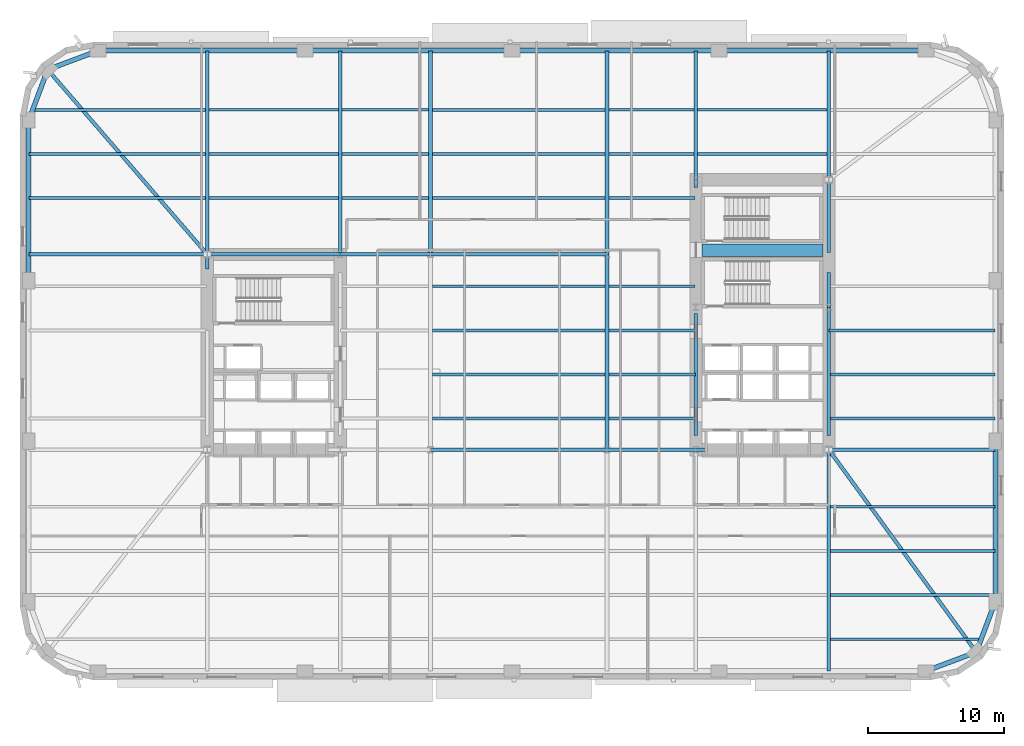
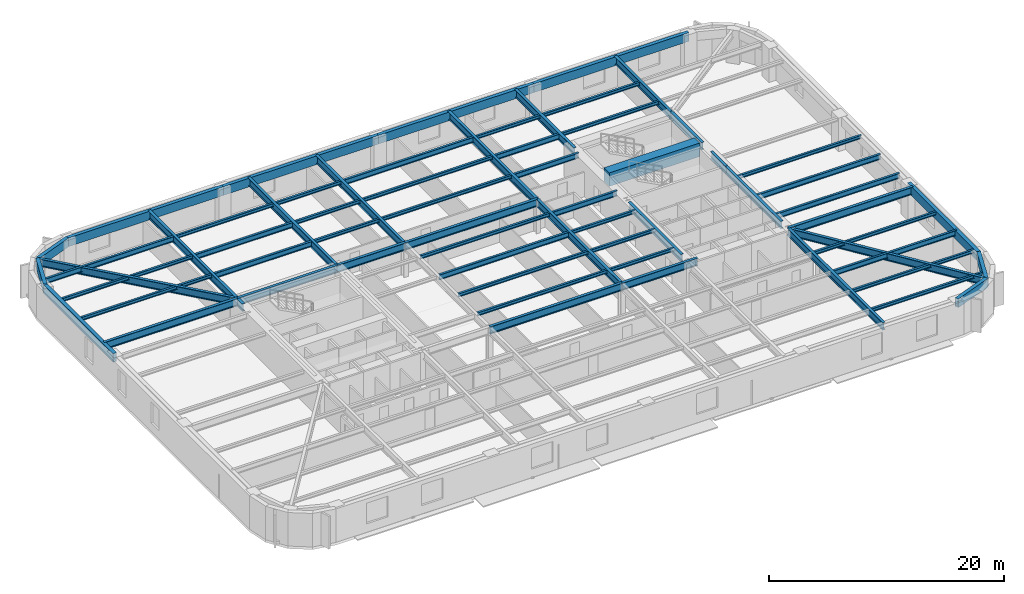
# One storey, part 2 of 15: 64 beams.
"""IFC4 building model written with IfcOpenShell, lengths in metres."""

from ifc_helpers import new_model, si_unit, direction, frame, origin, origin_2d, place, context, subcontext, project, spatial, rectangle, hollow_rectangle, i_section, extrude, material, material_profile, profile_set, type_object, element, save


model = new_model("IFC4")

# Units and contexts
model_context = context("Model", 3, precision=1e-05, world=origin(), true_north=direction((0.0, 1.0)))
body_context = subcontext(model_context, "Body", "Model", "MODEL_VIEW")
ifc_project = project(units=[si_unit("LENGTHUNIT", "METRE"), si_unit("AREAUNIT", "SQUARE_METRE"), si_unit("VOLUMEUNIT", "CUBIC_METRE"), si_unit("PLANEANGLEUNIT", "RADIAN"), si_unit("MASSUNIT", "GRAM", prefix="KILO")], contexts=[model_context])

# Site, building, storey
site_placement = place(None, origin())
site = spatial("IfcSite", under=ifc_project, at=site_placement, CompositionType="ELEMENT")
building_placement = place(site_placement, origin())
building = spatial("IfcBuilding", under=site, at=building_placement, Name="Kolvaren Arena Tower", CompositionType="ELEMENT")
storey_placement = place(building_placement, frame((0.0, 0.0, 60.75)))
storey = spatial("IfcBuildingStorey", under=building, at=storey_placement, Name="L12", CompositionType="ELEMENT", Elevation=60.75)

# Beams
ifc_material_1 = material(Name="Steel CSA G40.21 350W", Category="steel")
ifc_material_profile_1 = material_profile(ifc_material_1, i_section(OverallWidth=0.2119140625, OverallDepth=0.54296875, WebThickness=0.01318359375, FlangeThickness=0.0244140625, FilletRadius=0.013916015625, at=origin_2d()), Name="W530x150")
ifc_profile_set_1 = profile_set([ifc_material_profile_1], Name="Steel CSA G40.21 350W")
beam_type_1 = type_object("IfcBeamType", Name="BEAM-F1", PredefinedType="BEAM", material=ifc_profile_set_1)
beam_1_placement = place(storey_placement, frame((60.485107421875, 12.0, 3.20849609375), z_axis=(1.0, 0.0, 0.0), x_axis=(0.0, 1.0, 0.0)))
element("IfcBeam", 1, at=beam_1_placement, inside=storey, type_object=beam_type_1, Name="Composite Floor Beam (L12)", PredefinedType="BEAM", context=body_context, shape_type="SweptSolid", body=[
    extrude(i_section(OverallWidth=0.2119140625, OverallDepth=0.54296875, WebThickness=0.01318359375, FlangeThickness=0.0244140625, FilletRadius=0.013916015625, at=origin_2d()), origin(), (0.0, 0.0, 1.0), 12.114990234375),
])
for number, where, z_axis, x_axis, name in (
    (2, (60.3701171875, 21.75, 3.20849609375), (1.0, 0.0, 0.0), (0.0, 1.0, 0.0), "Composite Floor Beam (L12)"),
    (3, (60.3701171875, 25.0, 3.20849609375), (1.0, 0.0, 0.0), (0.0, 1.0, 0.0), "Composite Floor Beam (L12)"),
):
    element("IfcBeam", number, at=place(storey_placement, frame(where, z_axis=z_axis, x_axis=x_axis)), inside=storey, type_object=beam_type_1, Name=name, PredefinedType="BEAM", context=body_context, shape_type="SweptSolid", body=[
        extrude(i_section(OverallWidth=0.2119140625, OverallDepth=0.54296875, WebThickness=0.01318359375, FlangeThickness=0.0244140625, FilletRadius=0.013916015625, at=origin_2d()), origin(), (0.0, 0.0, 1.0), 12.22998046875),
    ])
beam_2_placement = place(storey_placement, frame((31.135009765625, 28.25, 3.20849609375), z_axis=(1.0, 0.0, 0.0), x_axis=(0.0, 1.0, 0.0)))
element("IfcBeam", 4, at=beam_2_placement, inside=storey, type_object=beam_type_1, Name="Composite Floor Beam (L12)", PredefinedType="BEAM", context=body_context, shape_type="SweptSolid", body=[
    extrude(i_section(OverallWidth=0.2119140625, OverallDepth=0.54296875, WebThickness=0.01318359375, FlangeThickness=0.0244140625, FilletRadius=0.013916015625, at=origin_2d()), origin(), (0.0, 0.0, 1.0), 12.72998046875),
])
beam_3_placement = place(storey_placement, frame((44.135009765625, 31.5, 3.20849609375), z_axis=(1.0, 0.0, 0.0), x_axis=(0.0, 1.0, 0.0)))
element("IfcBeam", 5, at=beam_3_placement, inside=storey, type_object=beam_type_1, Name="Composite Floor Beam (L12)", PredefinedType="BEAM", context=body_context, shape_type="SweptSolid", body=[
    extrude(i_section(OverallWidth=0.2119140625, OverallDepth=0.54296875, WebThickness=0.01318359375, FlangeThickness=0.0244140625, FilletRadius=0.013916015625, at=origin_2d()), origin(), (0.0, 0.0, 1.0), 6.344970703125),
])
beam_4_placement = place(storey_placement, frame((14.68505859375, 38.0, 3.20849609375), z_axis=(1.0, 0.0, 0.0), x_axis=(0.0, 1.0, 0.0)))
element("IfcBeam", 6, at=beam_4_placement, inside=storey, type_object=beam_type_1, Name="Composite Floor Beam (L12)", PredefinedType="BEAM", context=body_context, shape_type="SweptSolid", body=[
    extrude(i_section(OverallWidth=0.2119140625, OverallDepth=0.54296875, WebThickness=0.01318359375, FlangeThickness=0.0244140625, FilletRadius=0.013916015625, at=origin_2d()), origin(), (0.0, 0.0, 1.0), 9.530029296875),
])
beam_5_placement = place(storey_placement, frame((44.135009765625, 38.0, 3.20849609375), z_axis=(1.0, 0.0, 0.0), x_axis=(0.0, 1.0, 0.0)))
element("IfcBeam", 7, at=beam_5_placement, inside=storey, type_object=beam_type_1, Name="Composite Floor Beam (L12)", PredefinedType="BEAM", context=body_context, shape_type="SweptSolid", body=[
    extrude(i_section(OverallWidth=0.2119140625, OverallDepth=0.54296875, WebThickness=0.01318359375, FlangeThickness=0.0244140625, FilletRadius=0.013916015625, at=origin_2d()), origin(), (0.0, 0.0, 1.0), 6.344970703125),
])
beam_6_placement = place(storey_placement, frame((14.68505859375, 41.25, 3.20849609375), z_axis=(1.0, 0.0, 0.0), x_axis=(0.0, 1.0, 0.0)))
element("IfcBeam", 8, at=beam_6_placement, inside=storey, type_object=beam_type_1, Name="Composite Floor Beam (L12)", PredefinedType="BEAM", context=body_context, shape_type="SweptSolid", body=[
    extrude(i_section(OverallWidth=0.2119140625, OverallDepth=0.54296875, WebThickness=0.01318359375, FlangeThickness=0.0244140625, FilletRadius=0.013916015625, at=origin_2d()), origin(), (0.0, 0.0, 1.0), 9.530029296875),
])
beam_7_placement = place(storey_placement, frame((44.135009765625, 41.25, 3.20849609375), z_axis=(1.0, 0.0, 0.0), x_axis=(0.0, 1.0, 0.0)))
element("IfcBeam", 9, at=beam_7_placement, inside=storey, type_object=beam_type_1, Name="Composite Floor Beam (L12)", PredefinedType="BEAM", context=body_context, shape_type="SweptSolid", body=[
    extrude(i_section(OverallWidth=0.2119140625, OverallDepth=0.54296875, WebThickness=0.01318359375, FlangeThickness=0.0244140625, FilletRadius=0.013916015625, at=origin_2d()), origin(), (0.0, 0.0, 1.0), 6.280029296875),
])
beam_8_placement = place(storey_placement, frame((1.681396484375, 44.5, 3.20849609375), z_axis=(1.0, 0.0, 0.0), x_axis=(0.0, 1.0, 0.0)))
element("IfcBeam", 10, at=beam_8_placement, inside=storey, type_object=beam_type_1, Name="Composite Floor Beam (L12)", PredefinedType="BEAM", context=body_context, shape_type="SweptSolid", body=[
    extrude(i_section(OverallWidth=0.2119140625, OverallDepth=0.54296875, WebThickness=0.01318359375, FlangeThickness=0.0244140625, FilletRadius=0.013916015625, at=origin_2d()), origin(), (0.0, 0.0, 1.0), 12.733642578125),
])
beam_9_placement = place(storey_placement, frame((31.135009765625, 44.5, 3.20849609375), z_axis=(1.0, 0.0, 0.0), x_axis=(0.0, 1.0, 0.0)))
element("IfcBeam", 11, at=beam_9_placement, inside=storey, type_object=beam_type_1, Name="Composite Floor Beam (L12)", PredefinedType="BEAM", context=body_context, shape_type="SweptSolid", body=[
    extrude(i_section(OverallWidth=0.2119140625, OverallDepth=0.54296875, WebThickness=0.01318359375, FlangeThickness=0.0244140625, FilletRadius=0.013916015625, at=origin_2d()), origin(), (0.0, 0.0, 1.0), 12.72998046875),
])
ifc_material_2 = material(Name="Concrete 75 MPa", Category="concrete")
ifc_material_profile_2 = material_profile(ifc_material_2, rectangle(XDim=0.89990234375, YDim=1.39990234375, at=origin_2d()), Name="RC-900x1400")
ifc_profile_set_2 = profile_set([ifc_material_profile_2], Name="Concrete 75 MPa")
beam_type_2 = type_object("IfcBeamType", Name="CB-CORE-1", PredefinedType="BEAM", material=ifc_profile_set_2)
beam_10_placement = place(storey_placement, frame((51.0, 34.14990234375, 3.050048828125), z_axis=(1.0, 0.0, 0.0), x_axis=(0.0, 1.0, 0.0)))
element("IfcBeam", 12, at=beam_10_placement, inside=storey, type_object=beam_type_2, Name="East Core Coupling Beam (L12)", PredefinedType="BEAM", context=body_context, shape_type="SweptSolid", body=[
    extrude(rectangle(XDim=0.89990234375, YDim=1.39990234375, at=origin_2d()), origin(), (0.0, 0.0, 1.0), 8.89990234375),
])
ifc_material_profile_3 = material_profile(ifc_material_1, i_section(OverallWidth=0.27001953125, OverallDepth=0.77294921875, WebThickness=0.019287109375, FlangeThickness=0.033447265625, FilletRadius=0.01806640625, at=origin_2d()), Name="W760x257")
ifc_profile_set_3 = profile_set([ifc_material_profile_3], Name="Steel CSA G40.21 350W")
beam_type_3 = type_object("IfcBeamType", Name="GIRD-T1", PredefinedType="BEAM", material=ifc_profile_set_3)
beam_11_placement = place(storey_placement, frame((71.208740234375, 4.541259765625, 3.093505859375), z_axis=(-0.588737448901, 0.80832432616, 0.0), x_axis=(-0.80832432616, -0.588737448901, 0.0)))
element("IfcBeam", 13, at=beam_11_placement, inside=storey, type_object=beam_type_3, Name="Corner Diagonal Tie Girder (L12)", PredefinedType="BEAM", context=body_context, shape_type="SweptSolid", body=[
    extrude(i_section(OverallWidth=0.27001953125, OverallDepth=0.77294921875, WebThickness=0.019287109375, FlangeThickness=0.033447265625, FilletRadius=0.01806640625, at=origin_2d()), origin(), (0.0, 0.0, 1.0), 18.44384765625),
])
beam_12_placement = place(storey_placement, frame((2.791259765625, 47.458740234375, 3.093505859375), z_axis=(0.653806810332, -0.756661519283, 0.0), x_axis=(0.756661519283, 0.653806810332, 0.0)))
element("IfcBeam", 14, at=beam_12_placement, inside=storey, type_object=beam_type_3, Name="Corner Diagonal Tie Girder (L12)", PredefinedType="BEAM", context=body_context, shape_type="SweptSolid", body=[
    extrude(i_section(OverallWidth=0.27001953125, OverallDepth=0.77294921875, WebThickness=0.019287109375, FlangeThickness=0.033447265625, FilletRadius=0.01806640625, at=origin_2d()), origin(), (0.0, 0.0, 1.0), 17.985107421875),
])
beam_13_placement = place(storey_placement, frame((31.0, 19.449951171875, 3.093505859375), z_axis=(1.0, 0.0, 0.0), x_axis=(0.0, 1.0, 0.0)))
element("IfcBeam", 15, at=beam_13_placement, inside=storey, type_object=beam_type_3, Name="Primary Floor Girder (L12)", PredefinedType="BEAM", context=body_context, shape_type="SweptSolid", body=[
    extrude(i_section(OverallWidth=0.27001953125, OverallDepth=0.77294921875, WebThickness=0.019287109375, FlangeThickness=0.033447265625, FilletRadius=0.01806640625, at=origin_2d()), origin(), (0.0, 0.0, 1.0), 13.0),
])
beam_14_placement = place(storey_placement, frame((44.0, 19.449951171875, 3.093505859375), z_axis=(1.0, 0.0, 0.0), x_axis=(0.0, 1.0, 0.0)))
element("IfcBeam", 16, at=beam_14_placement, inside=storey, type_object=beam_type_3, Name="Primary Floor Girder (L12)", PredefinedType="BEAM", context=body_context, shape_type="SweptSolid", body=[
    extrude(i_section(OverallWidth=0.27001953125, OverallDepth=0.77294921875, WebThickness=0.019287109375, FlangeThickness=0.033447265625, FilletRadius=0.01806640625, at=origin_2d()), origin(), (0.0, 0.0, 1.0), 7.4150390625),
])
beam_15_placement = place(storey_placement, frame((60.35009765625, 19.449951171875, 3.093505859375), z_axis=(1.0, 0.0, 0.0), x_axis=(0.0, 1.0, 0.0)))
element("IfcBeam", 17, at=beam_15_placement, inside=storey, type_object=beam_type_3, Name="Primary Floor Girder (L12)", PredefinedType="BEAM", context=body_context, shape_type="SweptSolid", body=[
    extrude(i_section(OverallWidth=0.27001953125, OverallDepth=0.77294921875, WebThickness=0.019287109375, FlangeThickness=0.033447265625, FilletRadius=0.01806640625, at=origin_2d()), origin(), (0.0, 0.0, 1.0), 12.25),
])
beam_16_placement = place(storey_placement, frame((1.39990234375, 33.85009765625, 3.093505859375), z_axis=(1.0, 0.0, 0.0), x_axis=(0.0, 1.0, 0.0)))
element("IfcBeam", 18, at=beam_16_placement, inside=storey, type_object=beam_type_3, Name="Primary Floor Girder (L12)", PredefinedType="BEAM", context=body_context, shape_type="SweptSolid", body=[
    extrude(i_section(OverallWidth=0.27001953125, OverallDepth=0.77294921875, WebThickness=0.019287109375, FlangeThickness=0.033447265625, FilletRadius=0.01806640625, at=origin_2d()), origin(), (0.0, 0.0, 1.0), 13.150146484375),
])
beam_17_placement = place(storey_placement, frame((14.550048828125, 33.85009765625, 3.093505859375), z_axis=(1.0, 0.0, 0.0), x_axis=(0.0, 1.0, 0.0)))
element("IfcBeam", 19, at=beam_17_placement, inside=storey, type_object=beam_type_3, Name="Primary Floor Girder (L12)", PredefinedType="BEAM", context=body_context, shape_type="SweptSolid", body=[
    extrude(i_section(OverallWidth=0.27001953125, OverallDepth=0.77294921875, WebThickness=0.019287109375, FlangeThickness=0.033447265625, FilletRadius=0.01806640625, at=origin_2d()), origin(), (0.0, 0.0, 1.0), 9.800048828125),
])
beam_18_placement = place(storey_placement, frame((24.35009765625, 33.85009765625, 3.093505859375), z_axis=(1.0, 0.0, 0.0), x_axis=(0.0, 1.0, 0.0)))
element("IfcBeam", 20, at=beam_18_placement, inside=storey, type_object=beam_type_3, Name="Primary Floor Girder (L12)", PredefinedType="BEAM", context=body_context, shape_type="SweptSolid", body=[
    extrude(i_section(OverallWidth=0.27001953125, OverallDepth=0.77294921875, WebThickness=0.019287109375, FlangeThickness=0.033447265625, FilletRadius=0.01806640625, at=origin_2d()), origin(), (0.0, 0.0, 1.0), 6.64990234375),
])
beam_19_placement = place(storey_placement, frame((31.0, 33.85009765625, 3.093505859375), z_axis=(1.0, 0.0, 0.0), x_axis=(0.0, 1.0, 0.0)))
element("IfcBeam", 21, at=beam_19_placement, inside=storey, type_object=beam_type_3, Name="Primary Floor Girder (L12)", PredefinedType="BEAM", context=body_context, shape_type="SweptSolid", body=[
    extrude(i_section(OverallWidth=0.27001953125, OverallDepth=0.77294921875, WebThickness=0.019287109375, FlangeThickness=0.033447265625, FilletRadius=0.01806640625, at=origin_2d()), origin(), (0.0, 0.0, 1.0), 13.0),
])
beam_20_placement = place(storey_placement, frame((14.550048828125, 32.7900390625, 3.093505859375), z_axis=(0.0, 1.0, 0.0), x_axis=(-1.0, 0.0, 0.0)))
element("IfcBeam", 22, at=beam_20_placement, inside=storey, type_object=beam_type_3, Name="Primary Floor Girder (L12)", PredefinedType="BEAM", context=body_context, shape_type="SweptSolid", body=[
    extrude(i_section(OverallWidth=0.27001953125, OverallDepth=0.77294921875, WebThickness=0.019287109375, FlangeThickness=0.033447265625, FilletRadius=0.01806640625, at=origin_2d()), origin(), (0.0, 0.0, 1.0), 16.06005859375),
])
for number, where, z_axis, x_axis, name in (
    (23, (24.35009765625, 33.85009765625, 3.093505859375), (0.0, 1.0, 0.0), (-1.0, 0.0, 0.0), "Primary Floor Girder (L12)"),
    (24, (31.0, 33.85009765625, 3.093505859375), (0.0, 1.0, 0.0), (-1.0, 0.0, 0.0), "Primary Floor Girder (L12)"),
):
    element("IfcBeam", number, at=place(storey_placement, frame(where, z_axis=z_axis, x_axis=x_axis)), inside=storey, type_object=beam_type_3, Name=name, PredefinedType="BEAM", context=body_context, shape_type="SweptSolid", body=[
        extrude(i_section(OverallWidth=0.27001953125, OverallDepth=0.77294921875, WebThickness=0.019287109375, FlangeThickness=0.033447265625, FilletRadius=0.01806640625, at=origin_2d()), origin(), (0.0, 0.0, 1.0), 15.0),
    ])
beam_21_placement = place(storey_placement, frame((44.0, 19.449951171875, 3.093505859375), z_axis=(0.0, 1.0, 0.0), x_axis=(-1.0, 0.0, 0.0)))
element("IfcBeam", 25, at=beam_21_placement, inside=storey, type_object=beam_type_3, Name="Primary Floor Girder (L12)", PredefinedType="BEAM", context=body_context, shape_type="SweptSolid", body=[
    extrude(i_section(OverallWidth=0.27001953125, OverallDepth=0.77294921875, WebThickness=0.019287109375, FlangeThickness=0.033447265625, FilletRadius=0.01806640625, at=origin_2d()), origin(), (0.0, 0.0, 1.0), 14.400146484375),
])
beam_22_placement = place(storey_placement, frame((44.0, 33.85009765625, 3.093505859375), z_axis=(0.0, 1.0, 0.0), x_axis=(-1.0, 0.0, 0.0)))
element("IfcBeam", 26, at=beam_22_placement, inside=storey, type_object=beam_type_3, Name="Primary Floor Girder (L12)", PredefinedType="BEAM", context=body_context, shape_type="SweptSolid", body=[
    extrude(i_section(OverallWidth=0.27001953125, OverallDepth=0.77294921875, WebThickness=0.019287109375, FlangeThickness=0.033447265625, FilletRadius=0.01806640625, at=origin_2d()), origin(), (0.0, 0.0, 1.0), 15.0),
])
beam_23_placement = place(storey_placement, frame((50.550048828125, 20.5, 3.093505859375), z_axis=(0.0, 1.0, 0.0), x_axis=(-1.0, 0.0, 0.0)))
element("IfcBeam", 27, at=beam_23_placement, inside=storey, type_object=beam_type_3, Name="Primary Floor Girder (L12)", PredefinedType="BEAM", context=body_context, shape_type="SweptSolid", body=[
    extrude(i_section(OverallWidth=0.27001953125, OverallDepth=0.77294921875, WebThickness=0.019287109375, FlangeThickness=0.033447265625, FilletRadius=0.01806640625, at=origin_2d()), origin(), (0.0, 0.0, 1.0), 8.989990234375),
])
beam_24_placement = place(storey_placement, frame((50.550048828125, 38.760009765625, 3.093505859375), z_axis=(0.0, 1.0, 0.0), x_axis=(-1.0, 0.0, 0.0)))
element("IfcBeam", 28, at=beam_24_placement, inside=storey, type_object=beam_type_3, Name="Primary Floor Girder (L12)", PredefinedType="BEAM", context=body_context, shape_type="SweptSolid", body=[
    extrude(i_section(OverallWidth=0.27001953125, OverallDepth=0.77294921875, WebThickness=0.019287109375, FlangeThickness=0.033447265625, FilletRadius=0.01806640625, at=origin_2d()), origin(), (0.0, 0.0, 1.0), 10.090087890625),
])
beam_25_placement = place(storey_placement, frame((60.35009765625, 3.14990234375, 3.093505859375), z_axis=(0.0, 1.0, 0.0), x_axis=(-1.0, 0.0, 0.0)))
element("IfcBeam", 29, at=beam_25_placement, inside=storey, type_object=beam_type_3, Name="Primary Floor Girder (L12)", PredefinedType="BEAM", context=body_context, shape_type="SweptSolid", body=[
    extrude(i_section(OverallWidth=0.27001953125, OverallDepth=0.77294921875, WebThickness=0.019287109375, FlangeThickness=0.033447265625, FilletRadius=0.01806640625, at=origin_2d()), origin(), (0.0, 0.0, 1.0), 16.300048828125),
])
beam_26_placement = place(storey_placement, frame((60.35009765625, 20.5, 3.093505859375), z_axis=(0.0, 1.0, 0.0), x_axis=(-1.0, 0.0, 0.0)))
element("IfcBeam", 30, at=beam_26_placement, inside=storey, type_object=beam_type_3, Name="Primary Floor Girder (L12)", PredefinedType="BEAM", context=body_context, shape_type="SweptSolid", body=[
    extrude(i_section(OverallWidth=0.27001953125, OverallDepth=0.77294921875, WebThickness=0.019287109375, FlangeThickness=0.033447265625, FilletRadius=0.01806640625, at=origin_2d()), origin(), (0.0, 0.0, 1.0), 9.449951171875),
])
beam_27_placement = place(storey_placement, frame((60.35009765625, 29.949951171875, 3.093505859375), z_axis=(0.0, 1.0, 0.0), x_axis=(-1.0, 0.0, 0.0)))
element("IfcBeam", 31, at=beam_27_placement, inside=storey, type_object=beam_type_3, Name="Primary Floor Girder (L12)", PredefinedType="BEAM", context=body_context, shape_type="SweptSolid", body=[
    extrude(i_section(OverallWidth=0.27001953125, OverallDepth=0.77294921875, WebThickness=0.019287109375, FlangeThickness=0.033447265625, FilletRadius=0.01806640625, at=origin_2d()), origin(), (0.0, 0.0, 1.0), 2.550048828125),
])
beam_28_placement = place(storey_placement, frame((60.35009765625, 33.985107421875, 3.093505859375), z_axis=(0.0, 1.0, 0.0), x_axis=(-1.0, 0.0, 0.0)))
element("IfcBeam", 32, at=beam_28_placement, inside=storey, type_object=beam_type_3, Name="Primary Floor Girder (L12)", PredefinedType="BEAM", context=body_context, shape_type="SweptSolid", body=[
    extrude(i_section(OverallWidth=0.27001953125, OverallDepth=0.77294921875, WebThickness=0.019287109375, FlangeThickness=0.033447265625, FilletRadius=0.01806640625, at=origin_2d()), origin(), (0.0, 0.0, 1.0), 5.364990234375),
])
beam_29_placement = place(storey_placement, frame((60.35009765625, 39.35009765625, 3.093505859375), z_axis=(0.0, 1.0, 0.0), x_axis=(-1.0, 0.0, 0.0)))
element("IfcBeam", 33, at=beam_29_placement, inside=storey, type_object=beam_type_3, Name="Primary Floor Girder (L12)", PredefinedType="BEAM", context=body_context, shape_type="SweptSolid", body=[
    extrude(i_section(OverallWidth=0.27001953125, OverallDepth=0.77294921875, WebThickness=0.019287109375, FlangeThickness=0.033447265625, FilletRadius=0.01806640625, at=origin_2d()), origin(), (0.0, 0.0, 1.0), 9.5),
])
ifc_material_profile_4 = material_profile(ifc_material_1, i_section(OverallWidth=0.202880859375, OverallDepth=0.346923828125, WebThickness=0.0078125, FlangeThickness=0.013427734375, FilletRadius=0.010986328125, at=origin_2d()), Name="W360x64")
ifc_profile_set_4 = profile_set([ifc_material_profile_4], Name="Steel CSA G40.21 350W")
beam_type_4 = type_object("IfcBeamType", Name="JOIST-01", PredefinedType="JOIST", material=ifc_profile_set_4)
beam_30_placement = place(storey_placement, frame((60.485107421875, 5.5, 3.306396484375), z_axis=(1.0, 0.0, 0.0), x_axis=(0.0, 1.0, 0.0)))
element("IfcBeam", 34, at=beam_30_placement, inside=storey, type_object=beam_type_4, Name="Composite Floor Joist (L12)", PredefinedType="JOIST", context=body_context, shape_type="SweptSolid", body=[
    extrude(i_section(OverallWidth=0.202880859375, OverallDepth=0.346923828125, WebThickness=0.0078125, FlangeThickness=0.013427734375, FilletRadius=0.010986328125, at=origin_2d()), origin(), (0.0, 0.0, 1.0), 11.08349609375),
])
for number, where, z_axis, x_axis, name in (
    (35, (60.485107421875, 8.75, 3.306396484375), (1.0, 0.0, 0.0), (0.0, 1.0, 0.0), "Composite Floor Joist (L12)"),
    (36, (60.485107421875, 15.25, 3.306396484375), (1.0, 0.0, 0.0), (0.0, 1.0, 0.0), "Composite Floor Joist (L12)"),
):
    element("IfcBeam", number, at=place(storey_placement, frame(where, z_axis=z_axis, x_axis=x_axis)), inside=storey, type_object=beam_type_4, Name=name, PredefinedType="JOIST", context=body_context, shape_type="SweptSolid", body=[
        extrude(i_section(OverallWidth=0.202880859375, OverallDepth=0.346923828125, WebThickness=0.0078125, FlangeThickness=0.013427734375, FilletRadius=0.010986328125, at=origin_2d()), origin(), (0.0, 0.0, 1.0), 12.114990234375),
    ])
beam_31_placement = place(storey_placement, frame((31.135009765625, 21.75, 3.306396484375), z_axis=(1.0, 0.0, 0.0), x_axis=(0.0, 1.0, 0.0)))
element("IfcBeam", 37, at=beam_31_placement, inside=storey, type_object=beam_type_4, Name="Composite Floor Joist (L12)", PredefinedType="JOIST", context=body_context, shape_type="SweptSolid", body=[
    extrude(i_section(OverallWidth=0.202880859375, OverallDepth=0.346923828125, WebThickness=0.0078125, FlangeThickness=0.013427734375, FilletRadius=0.010986328125, at=origin_2d()), origin(), (0.0, 0.0, 1.0), 12.72998046875),
])
beam_32_placement = place(storey_placement, frame((44.135009765625, 21.75, 3.306396484375), z_axis=(1.0, 0.0, 0.0), x_axis=(0.0, 1.0, 0.0)))
element("IfcBeam", 38, at=beam_32_placement, inside=storey, type_object=beam_type_4, Name="Composite Floor Joist (L12)", PredefinedType="JOIST", context=body_context, shape_type="SweptSolid", body=[
    extrude(i_section(OverallWidth=0.202880859375, OverallDepth=0.346923828125, WebThickness=0.0078125, FlangeThickness=0.013427734375, FilletRadius=0.010986328125, at=origin_2d()), origin(), (0.0, 0.0, 1.0), 6.39501953125),
])
beam_33_placement = place(storey_placement, frame((31.135009765625, 25.0, 3.306396484375), z_axis=(1.0, 0.0, 0.0), x_axis=(0.0, 1.0, 0.0)))
element("IfcBeam", 39, at=beam_33_placement, inside=storey, type_object=beam_type_4, Name="Composite Floor Joist (L12)", PredefinedType="JOIST", context=body_context, shape_type="SweptSolid", body=[
    extrude(i_section(OverallWidth=0.202880859375, OverallDepth=0.346923828125, WebThickness=0.0078125, FlangeThickness=0.013427734375, FilletRadius=0.010986328125, at=origin_2d()), origin(), (0.0, 0.0, 1.0), 12.72998046875),
])
for number, where, z_axis, x_axis, name in (
    (40, (44.135009765625, 25.0, 3.306396484375), (1.0, 0.0, 0.0), (0.0, 1.0, 0.0), "Composite Floor Joist (L12)"),
    (41, (44.135009765625, 28.25, 3.306396484375), (1.0, 0.0, 0.0), (0.0, 1.0, 0.0), "Composite Floor Joist (L12)"),
):
    element("IfcBeam", number, at=place(storey_placement, frame(where, z_axis=z_axis, x_axis=x_axis)), inside=storey, type_object=beam_type_4, Name=name, PredefinedType="JOIST", context=body_context, shape_type="SweptSolid", body=[
        extrude(i_section(OverallWidth=0.202880859375, OverallDepth=0.346923828125, WebThickness=0.0078125, FlangeThickness=0.013427734375, FilletRadius=0.010986328125, at=origin_2d()), origin(), (0.0, 0.0, 1.0), 6.39501953125),
    ])
beam_34_placement = place(storey_placement, frame((60.3701171875, 28.25, 3.306396484375), z_axis=(1.0, 0.0, 0.0), x_axis=(0.0, 1.0, 0.0)))
element("IfcBeam", 42, at=beam_34_placement, inside=storey, type_object=beam_type_4, Name="Composite Floor Joist (L12)", PredefinedType="JOIST", context=body_context, shape_type="SweptSolid", body=[
    extrude(i_section(OverallWidth=0.202880859375, OverallDepth=0.346923828125, WebThickness=0.0078125, FlangeThickness=0.013427734375, FilletRadius=0.010986328125, at=origin_2d()), origin(), (0.0, 0.0, 1.0), 12.22998046875),
])
beam_35_placement = place(storey_placement, frame((31.135009765625, 31.5, 3.306396484375), z_axis=(1.0, 0.0, 0.0), x_axis=(0.0, 1.0, 0.0)))
element("IfcBeam", 43, at=beam_35_placement, inside=storey, type_object=beam_type_4, Name="Composite Floor Joist (L12)", PredefinedType="JOIST", context=body_context, shape_type="SweptSolid", body=[
    extrude(i_section(OverallWidth=0.202880859375, OverallDepth=0.346923828125, WebThickness=0.0078125, FlangeThickness=0.013427734375, FilletRadius=0.010986328125, at=origin_2d()), origin(), (0.0, 0.0, 1.0), 12.72998046875),
])
beam_36_placement = place(storey_placement, frame((1.39990234375, 38.0, 3.306396484375), z_axis=(1.0, 0.0, 0.0), x_axis=(0.0, 1.0, 0.0)))
element("IfcBeam", 44, at=beam_36_placement, inside=storey, type_object=beam_type_4, Name="Composite Floor Joist (L12)", PredefinedType="JOIST", context=body_context, shape_type="SweptSolid", body=[
    extrude(i_section(OverallWidth=0.202880859375, OverallDepth=0.346923828125, WebThickness=0.0078125, FlangeThickness=0.013427734375, FilletRadius=0.010986328125, at=origin_2d()), origin(), (0.0, 0.0, 1.0), 13.01513671875),
])
beam_37_placement = place(storey_placement, frame((24.485107421875, 38.0, 3.306396484375), z_axis=(1.0, 0.0, 0.0), x_axis=(0.0, 1.0, 0.0)))
element("IfcBeam", 45, at=beam_37_placement, inside=storey, type_object=beam_type_4, Name="Composite Floor Joist (L12)", PredefinedType="JOIST", context=body_context, shape_type="SweptSolid", body=[
    extrude(i_section(OverallWidth=0.202880859375, OverallDepth=0.346923828125, WebThickness=0.0078125, FlangeThickness=0.013427734375, FilletRadius=0.010986328125, at=origin_2d()), origin(), (0.0, 0.0, 1.0), 6.3798828125),
])
beam_38_placement = place(storey_placement, frame((31.135009765625, 38.0, 3.306396484375), z_axis=(1.0, 0.0, 0.0), x_axis=(0.0, 1.0, 0.0)))
element("IfcBeam", 46, at=beam_38_placement, inside=storey, type_object=beam_type_4, Name="Composite Floor Joist (L12)", PredefinedType="JOIST", context=body_context, shape_type="SweptSolid", body=[
    extrude(i_section(OverallWidth=0.202880859375, OverallDepth=0.346923828125, WebThickness=0.0078125, FlangeThickness=0.013427734375, FilletRadius=0.010986328125, at=origin_2d()), origin(), (0.0, 0.0, 1.0), 12.72998046875),
])
beam_39_placement = place(storey_placement, frame((1.39990234375, 41.25, 3.306396484375), z_axis=(1.0, 0.0, 0.0), x_axis=(0.0, 1.0, 0.0)))
element("IfcBeam", 47, at=beam_39_placement, inside=storey, type_object=beam_type_4, Name="Composite Floor Joist (L12)", PredefinedType="JOIST", context=body_context, shape_type="SweptSolid", body=[
    extrude(i_section(OverallWidth=0.202880859375, OverallDepth=0.346923828125, WebThickness=0.0078125, FlangeThickness=0.013427734375, FilletRadius=0.010986328125, at=origin_2d()), origin(), (0.0, 0.0, 1.0), 13.01513671875),
])
beam_40_placement = place(storey_placement, frame((24.485107421875, 41.25, 3.306396484375), z_axis=(1.0, 0.0, 0.0), x_axis=(0.0, 1.0, 0.0)))
element("IfcBeam", 48, at=beam_40_placement, inside=storey, type_object=beam_type_4, Name="Composite Floor Joist (L12)", PredefinedType="JOIST", context=body_context, shape_type="SweptSolid", body=[
    extrude(i_section(OverallWidth=0.202880859375, OverallDepth=0.346923828125, WebThickness=0.0078125, FlangeThickness=0.013427734375, FilletRadius=0.010986328125, at=origin_2d()), origin(), (0.0, 0.0, 1.0), 6.3798828125),
])
beam_41_placement = place(storey_placement, frame((31.135009765625, 41.25, 3.306396484375), z_axis=(1.0, 0.0, 0.0), x_axis=(0.0, 1.0, 0.0)))
element("IfcBeam", 49, at=beam_41_placement, inside=storey, type_object=beam_type_4, Name="Composite Floor Joist (L12)", PredefinedType="JOIST", context=body_context, shape_type="SweptSolid", body=[
    extrude(i_section(OverallWidth=0.202880859375, OverallDepth=0.346923828125, WebThickness=0.0078125, FlangeThickness=0.013427734375, FilletRadius=0.010986328125, at=origin_2d()), origin(), (0.0, 0.0, 1.0), 12.72998046875),
])
for number, where, z_axis, x_axis, name in (
    (50, (50.68505859375, 41.25, 3.306396484375), (1.0, 0.0, 0.0), (0.0, 1.0, 0.0), "Composite Floor Joist (L12)"),
    (51, (14.68505859375, 44.5, 3.306396484375), (1.0, 0.0, 0.0), (0.0, 1.0, 0.0), "Composite Floor Joist (L12)"),
):
    element("IfcBeam", number, at=place(storey_placement, frame(where, z_axis=z_axis, x_axis=x_axis)), inside=storey, type_object=beam_type_4, Name=name, PredefinedType="JOIST", context=body_context, shape_type="SweptSolid", body=[
        extrude(i_section(OverallWidth=0.202880859375, OverallDepth=0.346923828125, WebThickness=0.0078125, FlangeThickness=0.013427734375, FilletRadius=0.010986328125, at=origin_2d()), origin(), (0.0, 0.0, 1.0), 9.530029296875),
    ])
beam_42_placement = place(storey_placement, frame((24.485107421875, 44.5, 3.306396484375), z_axis=(1.0, 0.0, 0.0), x_axis=(0.0, 1.0, 0.0)))
element("IfcBeam", 52, at=beam_42_placement, inside=storey, type_object=beam_type_4, Name="Composite Floor Joist (L12)", PredefinedType="JOIST", context=body_context, shape_type="SweptSolid", body=[
    extrude(i_section(OverallWidth=0.202880859375, OverallDepth=0.346923828125, WebThickness=0.0078125, FlangeThickness=0.013427734375, FilletRadius=0.010986328125, at=origin_2d()), origin(), (0.0, 0.0, 1.0), 6.3798828125),
])
beam_43_placement = place(storey_placement, frame((44.135009765625, 44.5, 3.306396484375), z_axis=(1.0, 0.0, 0.0), x_axis=(0.0, 1.0, 0.0)))
element("IfcBeam", 53, at=beam_43_placement, inside=storey, type_object=beam_type_4, Name="Composite Floor Joist (L12)", PredefinedType="JOIST", context=body_context, shape_type="SweptSolid", body=[
    extrude(i_section(OverallWidth=0.202880859375, OverallDepth=0.346923828125, WebThickness=0.0078125, FlangeThickness=0.013427734375, FilletRadius=0.010986328125, at=origin_2d()), origin(), (0.0, 0.0, 1.0), 6.280029296875),
])
beam_44_placement = place(storey_placement, frame((50.68505859375, 44.5, 3.306396484375), z_axis=(1.0, 0.0, 0.0), x_axis=(0.0, 1.0, 0.0)))
element("IfcBeam", 54, at=beam_44_placement, inside=storey, type_object=beam_type_4, Name="Composite Floor Joist (L12)", PredefinedType="JOIST", context=body_context, shape_type="SweptSolid", body=[
    extrude(i_section(OverallWidth=0.202880859375, OverallDepth=0.346923828125, WebThickness=0.0078125, FlangeThickness=0.013427734375, FilletRadius=0.010986328125, at=origin_2d()), origin(), (0.0, 0.0, 1.0), 9.530029296875),
])
ifc_material_3 = material(Name="Steel CSA G40.21 350WT", Category="steel")
ifc_material_profile_5 = material_profile(ifc_material_3, hollow_rectangle(XDim=0.35009765625, YDim=0.89990234375, WallThickness=0.02001953125, at=origin_2d()), Name="HSS 900x350x20")
ifc_profile_set_5 = profile_set([ifc_material_profile_5], Name="Steel CSA G40.21 350WT")
beam_type_5 = type_object("IfcBeamType", Name="SPAND-01", PredefinedType="SPANDREL", material=ifc_profile_set_5)
for number, where, z_axis, x_axis, name in (
    (55, (67.5, 3.14990234375, 3.030029296875), (0.93628104365, 0.351251771955, 0.0), (-0.351251771955, 0.93628104365, 0.0), "Perimeter Spandrel Beam (L12)"),
    (56, (71.208740234375, 4.541259765625, 3.030029296875), (0.351251771955, 0.93628104365, 0.0), (-0.93628104365, 0.351251771955, 0.0), "Perimeter Spandrel Beam (L12)"),
):
    element("IfcBeam", number, at=place(storey_placement, frame(where, z_axis=z_axis, x_axis=x_axis)), inside=storey, type_object=beam_type_5, Name=name, PredefinedType="SPANDREL", context=body_context, shape_type="SweptSolid", body=[
        extrude(hollow_rectangle(XDim=0.35009765625, YDim=0.89990234375, WallThickness=0.02001953125, at=origin_2d()), origin(), (0.0, 0.0, 1.0), 3.961181640625),
    ])
beam_45_placement = place(storey_placement, frame((72.60009765625, 8.25, 3.030029296875), z_axis=(0.0, 1.0, 0.0), x_axis=(-1.0, 0.0, 0.0)))
element("IfcBeam", 57, at=beam_45_placement, inside=storey, type_object=beam_type_5, Name="Perimeter Spandrel Beam (L12)", PredefinedType="SPANDREL", context=body_context, shape_type="SweptSolid", body=[
    extrude(hollow_rectangle(XDim=0.35009765625, YDim=0.89990234375, WallThickness=0.02001953125, at=origin_2d()), origin(), (0.0, 0.0, 1.0), 11.833251953125),
])
for number, where, z_axis, x_axis, name in (
    (58, (67.5, 48.85009765625, 3.030029296875), (-1.0, 0.0, 0.0), (0.0, -1.0, 0.0), "Perimeter Spandrel Beam (L12)"),
    (59, (52.25, 48.85009765625, 3.030029296875), (-1.0, 0.0, 0.0), (0.0, -1.0, 0.0), "Perimeter Spandrel Beam (L12)"),
    (60, (37.0, 48.85009765625, 3.030029296875), (-1.0, 0.0, 0.0), (0.0, -1.0, 0.0), "Perimeter Spandrel Beam (L12)"),
    (61, (21.75, 48.85009765625, 3.030029296875), (-1.0, 0.0, 0.0), (0.0, -1.0, 0.0), "Perimeter Spandrel Beam (L12)"),
):
    element("IfcBeam", number, at=place(storey_placement, frame(where, z_axis=z_axis, x_axis=x_axis)), inside=storey, type_object=beam_type_5, Name=name, PredefinedType="SPANDREL", context=body_context, shape_type="SweptSolid", body=[
        extrude(hollow_rectangle(XDim=0.35009765625, YDim=0.89990234375, WallThickness=0.02001953125, at=origin_2d()), origin(), (0.0, 0.0, 1.0), 15.25),
    ])
for number, where, z_axis, x_axis, name in (
    (62, (6.5, 48.85009765625, 3.030029296875), (-0.93628104365, -0.351251771955, 0.0), (0.351251771955, -0.93628104365, 0.0), "Perimeter Spandrel Beam (L12)"),
    (63, (2.791259765625, 47.458740234375, 3.030029296875), (-0.351251771955, -0.93628104365, 0.0), (0.93628104365, -0.351251771955, 0.0), "Perimeter Spandrel Beam (L12)"),
):
    element("IfcBeam", number, at=place(storey_placement, frame(where, z_axis=z_axis, x_axis=x_axis)), inside=storey, type_object=beam_type_5, Name=name, PredefinedType="SPANDREL", context=body_context, shape_type="SweptSolid", body=[
        extrude(hollow_rectangle(XDim=0.35009765625, YDim=0.89990234375, WallThickness=0.02001953125, at=origin_2d()), origin(), (0.0, 0.0, 1.0), 3.961181640625),
    ])
beam_46_placement = place(storey_placement, frame((1.39990234375, 43.75, 3.030029296875), z_axis=(0.0, -1.0, 0.0), x_axis=(1.0, 0.0, 0.0)))
element("IfcBeam", 64, at=beam_46_placement, inside=storey, type_object=beam_type_5, Name="Perimeter Spandrel Beam (L12)", PredefinedType="SPANDREL", context=body_context, shape_type="SweptSolid", body=[
    extrude(hollow_rectangle(XDim=0.35009765625, YDim=0.89990234375, WallThickness=0.02001953125, at=origin_2d()), origin(), (0.0, 0.0, 1.0), 11.833251953125),
])

save(model, "model.ifc")
